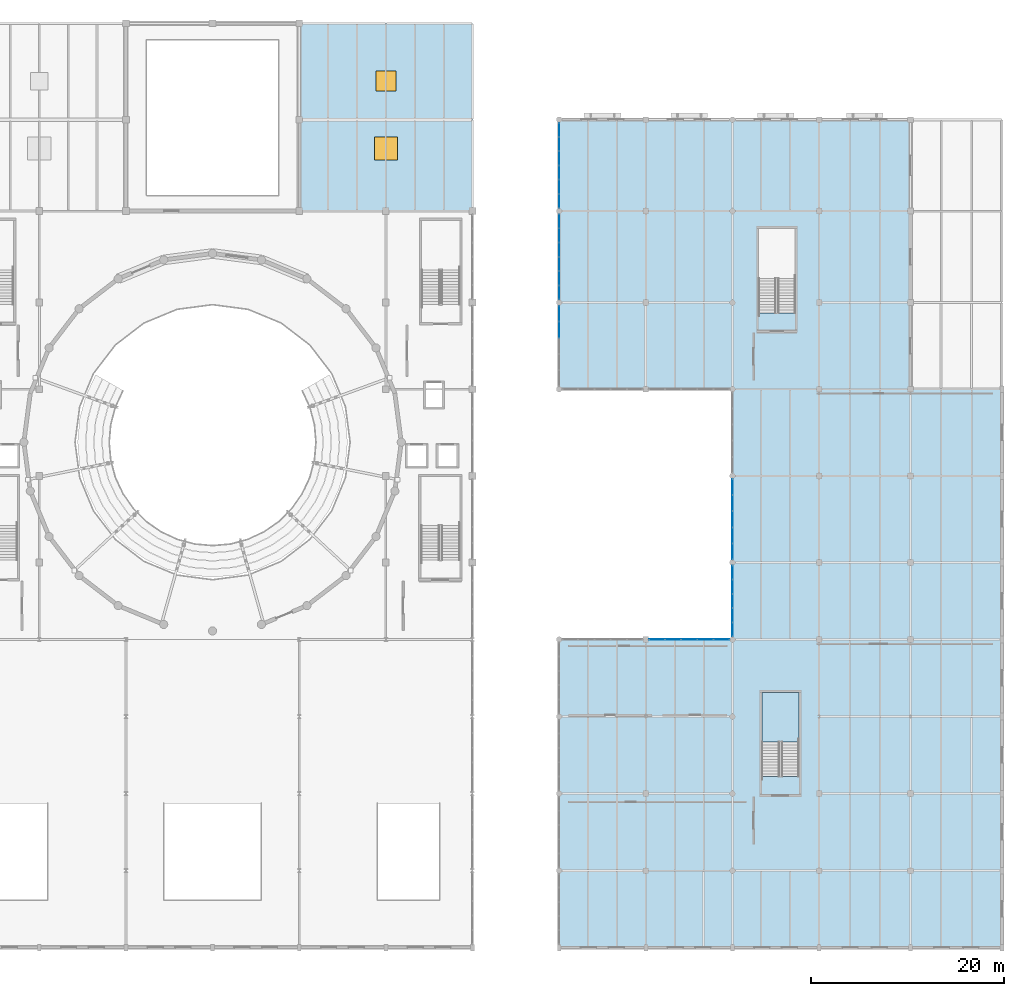
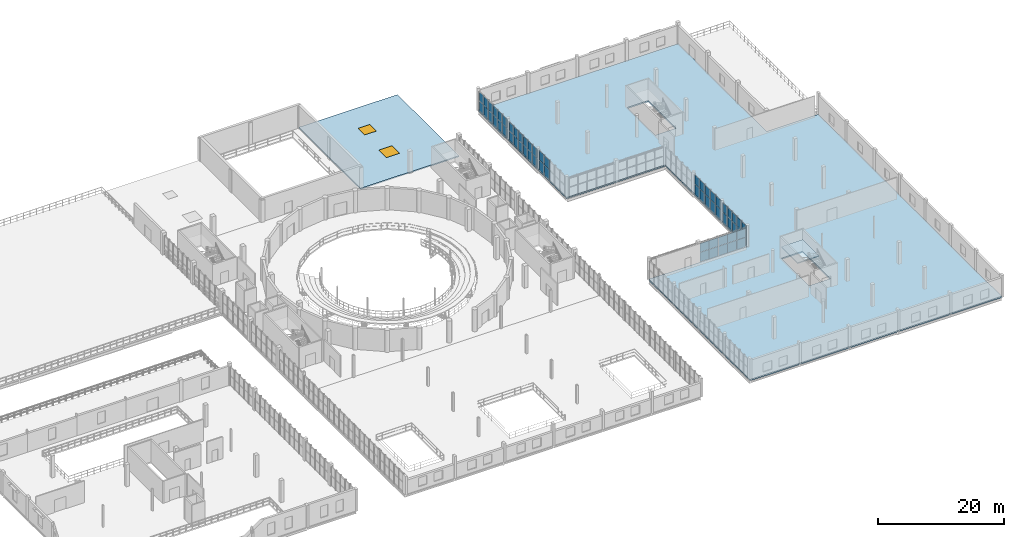
# One storey, part 51 of 73: 58 plates, 3 slabs, 2 windows, 2 openings, 7 elements without a shape of their own.
"""IFC4 building model written with IfcOpenShell, lengths in metres."""

from ifc_helpers import new_model, si_unit, direction, frame, origin, origin_2d, place, context, subcontext, project, spatial, polyline, rectangle, outline, extrude, material, layer, layer_set, type_object, element, fill, aggregate, save


model = new_model("IFC4")

# Units and contexts
model_context = context("Model", 3, precision=1e-05, world=origin(), true_north=direction((0.0, 1.0)))
body_context = subcontext(model_context, "Body", "Model", "MODEL_VIEW")
ifc_project = project(units=[si_unit("LENGTHUNIT", "METRE"), si_unit("AREAUNIT", "SQUARE_METRE"), si_unit("VOLUMEUNIT", "CUBIC_METRE"), si_unit("PLANEANGLEUNIT", "RADIAN"), si_unit("MASSUNIT", "GRAM", prefix="KILO")], contexts=[model_context])

# Site, building, storey
site_placement = place(None, origin())
site = spatial("IfcSite", under=ifc_project, at=site_placement, CompositionType="ELEMENT")
building_placement = place(site_placement, origin())
building = spatial("IfcBuilding", under=site, at=building_placement, Name="Marnock Terrace Opera House", CompositionType="ELEMENT")
storey_placement = place(building_placement, frame((0.0, 0.0, 14.699951171875)))
storey = spatial("IfcBuildingStorey", under=building, at=storey_placement, Name="L03", CompositionType="ELEMENT", Elevation=14.699951171875)

# Curtain wall, plates
ifc_material_1 = material(Name="Anodised architectural bronze aluminium framing", Category="aluminium")
ifc_layer_1 = layer(ifc_material_1, 0.159912109375)
ifc_layer_set_1 = layer_set([ifc_layer_1], Name="Anodised architectural bronze aluminium framing")
curtain_wall_type_1 = type_object("IfcCurtainWallType", Name="CW-LOGGIA-86x42", PredefinedType="NOTDEFINED", material=ifc_layer_set_1)
curtain_wall_1_placement = place(storey_placement, origin())
curtain_wall_1 = element("IfcCurtainWall", 1, at=curtain_wall_1_placement, inside=storey, type_object=curtain_wall_type_1, Name="L03 glazed Beaux-Arts colonnade curtain wall CW-V5-L03-CS2", PredefinedType="NOTDEFINED")
ifc_material_2 = material(Name="Double-glazed acoustic low-E laminated glass", Category="glass")
ifc_layer_2 = layer(ifc_material_2, 0.028076171875)
ifc_layer_set_2 = layer_set([ifc_layer_2], Name="Double-glazed acoustic low-E laminated glass")
plate_type = type_object("IfcPlateType", Name="CWP-GLZ-28", PredefinedType="CURTAIN_PANEL", material=ifc_layer_set_2)
plate_1_placement = place(storey_placement, frame((128.15185546875, 40.0, 0.06005859375), z_axis=(0.0, 0.0, 1.0), x_axis=(1.0, 0.0, 0.0)))
plate_1 = element("IfcPlate", 2, at=plate_1_placement, type_object=plate_type, Name="CW-66 panel 1.1", PredefinedType="CURTAIN_PANEL", context=body_context, shape_type="SweptSolid", body=[
    extrude(rectangle(XDim=1.591552734375, YDim=0.028076171875, at=origin_2d()), origin(), (0.0, 0.0, 1.0), 1.8271484375),
])
plate_2_placement = place(storey_placement, frame((128.15185546875, 40.0, 1.947265625), z_axis=(0.0, 0.0, 1.0), x_axis=(1.0, 0.0, 0.0)))
plate_2 = element("IfcPlate", 3, at=plate_2_placement, type_object=plate_type, Name="CW-66 panel 1.2", PredefinedType="CURTAIN_PANEL", context=body_context, shape_type="SweptSolid", body=[
    extrude(rectangle(XDim=1.591552734375, YDim=0.028076171875, at=origin_2d()), origin(), (0.0, 0.0, 1.0), 1.6796875),
])
plate_3_placement = place(storey_placement, frame((129.818359375, 40.0, 0.06005859375), z_axis=(0.0, 0.0, 1.0), x_axis=(1.0, 0.0, 0.0)))
plate_3 = element("IfcPlate", 4, at=plate_3_placement, type_object=plate_type, Name="CW-66 panel 2.1", PredefinedType="CURTAIN_PANEL", context=body_context, shape_type="SweptSolid", body=[
    extrude(rectangle(XDim=1.62158203125, YDim=0.028076171875, at=origin_2d()), origin(), (0.0, 0.0, 1.0), 1.8271484375),
])
plate_4_placement = place(storey_placement, frame((129.818359375, 40.0, 1.947265625), z_axis=(0.0, 0.0, 1.0), x_axis=(1.0, 0.0, 0.0)))
plate_4 = element("IfcPlate", 5, at=plate_4_placement, type_object=plate_type, Name="CW-66 panel 2.2", PredefinedType="CURTAIN_PANEL", context=body_context, shape_type="SweptSolid", body=[
    extrude(rectangle(XDim=1.62158203125, YDim=0.028076171875, at=origin_2d()), origin(), (0.0, 0.0, 1.0), 1.6796875),
])
plate_5_placement = place(storey_placement, frame((131.5, 40.0, 0.06005859375), z_axis=(0.0, 0.0, 1.0), x_axis=(1.0, 0.0, 0.0)))
plate_5 = element("IfcPlate", 6, at=plate_5_placement, type_object=plate_type, Name="CW-66 panel 3.1", PredefinedType="CURTAIN_PANEL", context=body_context, shape_type="SweptSolid", body=[
    extrude(rectangle(XDim=1.62158203125, YDim=0.028076171875, at=origin_2d()), origin(), (0.0, 0.0, 1.0), 1.8271484375),
])
plate_6_placement = place(storey_placement, frame((131.5, 40.0, 1.947265625), z_axis=(0.0, 0.0, 1.0), x_axis=(1.0, 0.0, 0.0)))
plate_6 = element("IfcPlate", 7, at=plate_6_placement, type_object=plate_type, Name="CW-66 panel 3.2", PredefinedType="CURTAIN_PANEL", context=body_context, shape_type="SweptSolid", body=[
    extrude(rectangle(XDim=1.62158203125, YDim=0.028076171875, at=origin_2d()), origin(), (0.0, 0.0, 1.0), 1.6796875),
])
plate_7_placement = place(storey_placement, frame((133.181640625, 40.0, 0.06005859375), z_axis=(0.0, 0.0, 1.0), x_axis=(1.0, 0.0, 0.0)))
plate_7 = element("IfcPlate", 8, at=plate_7_placement, type_object=plate_type, Name="CW-66 panel 4.1", PredefinedType="CURTAIN_PANEL", context=body_context, shape_type="SweptSolid", body=[
    extrude(rectangle(XDim=1.62158203125, YDim=0.028076171875, at=origin_2d()), origin(), (0.0, 0.0, 1.0), 1.8271484375),
])
plate_8_placement = place(storey_placement, frame((133.181640625, 40.0, 1.947265625), z_axis=(0.0, 0.0, 1.0), x_axis=(1.0, 0.0, 0.0)))
plate_8 = element("IfcPlate", 9, at=plate_8_placement, type_object=plate_type, Name="CW-66 panel 4.2", PredefinedType="CURTAIN_PANEL", context=body_context, shape_type="SweptSolid", body=[
    extrude(rectangle(XDim=1.62158203125, YDim=0.028076171875, at=origin_2d()), origin(), (0.0, 0.0, 1.0), 1.6796875),
])
plate_9_placement = place(storey_placement, frame((134.84814453125, 40.0, 0.06005859375), z_axis=(0.0, 0.0, 1.0), x_axis=(1.0, 0.0, 0.0)))
plate_9 = element("IfcPlate", 10, at=plate_9_placement, type_object=plate_type, Name="CW-66 panel 5.1", PredefinedType="CURTAIN_PANEL", context=body_context, shape_type="SweptSolid", body=[
    extrude(rectangle(XDim=1.591552734375, YDim=0.028076171875, at=origin_2d()), origin(), (0.0, 0.0, 1.0), 1.8271484375),
])
plate_10_placement = place(storey_placement, frame((134.84814453125, 40.0, 1.947265625), z_axis=(0.0, 0.0, 1.0), x_axis=(1.0, 0.0, 0.0)))
plate_10 = element("IfcPlate", 11, at=plate_10_placement, type_object=plate_type, Name="CW-66 panel 5.2", PredefinedType="CURTAIN_PANEL", context=body_context, shape_type="SweptSolid", body=[
    extrude(rectangle(XDim=1.591552734375, YDim=0.028076171875, at=origin_2d()), origin(), (0.0, 0.0, 1.0), 1.6796875),
])
aggregate(curtain_wall_1, [plate_1, plate_2, plate_3, plate_4, plate_5, plate_6, plate_7, plate_8, plate_9, plate_10])

curtain_wall_2_placement = place(storey_placement, origin())
curtain_wall_2 = element("IfcCurtainWall", 12, at=curtain_wall_2_placement, inside=storey, type_object=curtain_wall_type_1, Name="L03 glazed Beaux-Arts colonnade curtain wall CW-V5-L03-CE1", PredefinedType="NOTDEFINED")
plate_11_placement = place(storey_placement, frame((136.0, 41.0517578125, 0.06005859375), z_axis=(0.0, 0.0, 1.0), x_axis=(0.0, 1.0, 0.0)))
plate_11 = element("IfcPlate", 13, at=plate_11_placement, type_object=plate_type, Name="CW-66 panel 1.1", PredefinedType="CURTAIN_PANEL", context=body_context, shape_type="SweptSolid", body=[
    extrude(rectangle(XDim=1.3916015625, YDim=0.028076171875, at=origin_2d()), origin(), (0.0, 0.0, 1.0), 1.91943359375),
])
plate_12_placement = place(storey_placement, frame((136.0, 41.0517578125, 2.03955078125), z_axis=(0.0, 0.0, 1.0), x_axis=(0.0, 1.0, 0.0)))
plate_12 = element("IfcPlate", 14, at=plate_12_placement, type_object=plate_type, Name="CW-66 panel 1.2", PredefinedType="CURTAIN_PANEL", context=body_context, shape_type="SweptSolid", body=[
    extrude(rectangle(XDim=1.3916015625, YDim=0.028076171875, at=origin_2d()), origin(), (0.0, 0.0, 1.0), 1.764892578125),
])
plate_13_placement = place(storey_placement, frame((136.0, 42.518310546875, 0.06005859375), z_axis=(0.0, 0.0, 1.0), x_axis=(0.0, 1.0, 0.0)))
plate_13 = element("IfcPlate", 15, at=plate_13_placement, type_object=plate_type, Name="CW-66 panel 2.1", PredefinedType="CURTAIN_PANEL", context=body_context, shape_type="SweptSolid", body=[
    extrude(rectangle(XDim=1.421630859375, YDim=0.028076171875, at=origin_2d()), origin(), (0.0, 0.0, 1.0), 1.91943359375),
])
plate_14_placement = place(storey_placement, frame((136.0, 42.518310546875, 2.03955078125), z_axis=(0.0, 0.0, 1.0), x_axis=(0.0, 1.0, 0.0)))
plate_14 = element("IfcPlate", 16, at=plate_14_placement, type_object=plate_type, Name="CW-66 panel 2.2", PredefinedType="CURTAIN_PANEL", context=body_context, shape_type="SweptSolid", body=[
    extrude(rectangle(XDim=1.421630859375, YDim=0.028076171875, at=origin_2d()), origin(), (0.0, 0.0, 1.0), 1.764892578125),
])
plate_15_placement = place(storey_placement, frame((136.0, 44.0, 0.06005859375), z_axis=(0.0, 0.0, 1.0), x_axis=(0.0, 1.0, 0.0)))
plate_15 = element("IfcPlate", 17, at=plate_15_placement, type_object=plate_type, Name="CW-66 panel 3.1", PredefinedType="CURTAIN_PANEL", context=body_context, shape_type="SweptSolid", body=[
    extrude(rectangle(XDim=1.421630859375, YDim=0.028076171875, at=origin_2d()), origin(), (0.0, 0.0, 1.0), 1.91943359375),
])
plate_16_placement = place(storey_placement, frame((136.0, 44.0, 2.03955078125), z_axis=(0.0, 0.0, 1.0), x_axis=(0.0, 1.0, 0.0)))
plate_16 = element("IfcPlate", 18, at=plate_16_placement, type_object=plate_type, Name="CW-66 panel 3.2", PredefinedType="CURTAIN_PANEL", context=body_context, shape_type="SweptSolid", body=[
    extrude(rectangle(XDim=1.421630859375, YDim=0.028076171875, at=origin_2d()), origin(), (0.0, 0.0, 1.0), 1.764892578125),
])
plate_17_placement = place(storey_placement, frame((136.0, 45.481689453125, 0.06005859375), z_axis=(0.0, 0.0, 1.0), x_axis=(0.0, 1.0, 0.0)))
plate_17 = element("IfcPlate", 19, at=plate_17_placement, type_object=plate_type, Name="CW-66 panel 4.1", PredefinedType="CURTAIN_PANEL", context=body_context, shape_type="SweptSolid", body=[
    extrude(rectangle(XDim=1.421630859375, YDim=0.028076171875, at=origin_2d()), origin(), (0.0, 0.0, 1.0), 1.91943359375),
])
plate_18_placement = place(storey_placement, frame((136.0, 45.481689453125, 2.03955078125), z_axis=(0.0, 0.0, 1.0), x_axis=(0.0, 1.0, 0.0)))
plate_18 = element("IfcPlate", 20, at=plate_18_placement, type_object=plate_type, Name="CW-66 panel 4.2", PredefinedType="CURTAIN_PANEL", context=body_context, shape_type="SweptSolid", body=[
    extrude(rectangle(XDim=1.421630859375, YDim=0.028076171875, at=origin_2d()), origin(), (0.0, 0.0, 1.0), 1.764892578125),
])
plate_19_placement = place(storey_placement, frame((136.0, 46.9482421875, 0.06005859375), z_axis=(0.0, 0.0, 1.0), x_axis=(0.0, 1.0, 0.0)))
plate_19 = element("IfcPlate", 21, at=plate_19_placement, type_object=plate_type, Name="CW-66 panel 5.1", PredefinedType="CURTAIN_PANEL", context=body_context, shape_type="SweptSolid", body=[
    extrude(rectangle(XDim=1.3916015625, YDim=0.028076171875, at=origin_2d()), origin(), (0.0, 0.0, 1.0), 1.91943359375),
])
plate_20_placement = place(storey_placement, frame((136.0, 46.9482421875, 2.03955078125), z_axis=(0.0, 0.0, 1.0), x_axis=(0.0, 1.0, 0.0)))
plate_20 = element("IfcPlate", 22, at=plate_20_placement, type_object=plate_type, Name="CW-66 panel 5.2", PredefinedType="CURTAIN_PANEL", context=body_context, shape_type="SweptSolid", body=[
    extrude(rectangle(XDim=1.3916015625, YDim=0.028076171875, at=origin_2d()), origin(), (0.0, 0.0, 1.0), 1.764892578125),
])
aggregate(curtain_wall_2, [plate_11, plate_12, plate_13, plate_14, plate_15, plate_16, plate_17, plate_18, plate_19, plate_20])

curtain_wall_3_placement = place(storey_placement, origin())
curtain_wall_3 = element("IfcCurtainWall", 23, at=curtain_wall_3_placement, inside=storey, type_object=curtain_wall_type_1, Name="L03 glazed Beaux-Arts colonnade curtain wall CW-V5-L03-CE2", PredefinedType="NOTDEFINED")
plate_21_placement = place(storey_placement, frame((136.0, 49.15185546875, 0.06005859375), z_axis=(0.0, 0.0, 1.0), x_axis=(0.0, 1.0, 0.0)))
plate_21 = element("IfcPlate", 24, at=plate_21_placement, type_object=plate_type, Name="CW-66 panel 1.1", PredefinedType="CURTAIN_PANEL", context=body_context, shape_type="SweptSolid", body=[
    extrude(rectangle(XDim=1.591552734375, YDim=0.028076171875, at=origin_2d()), origin(), (0.0, 0.0, 1.0), 1.91943359375),
])
plate_22_placement = place(storey_placement, frame((136.0, 49.15185546875, 2.03955078125), z_axis=(0.0, 0.0, 1.0), x_axis=(0.0, 1.0, 0.0)))
plate_22 = element("IfcPlate", 25, at=plate_22_placement, type_object=plate_type, Name="CW-66 panel 1.2", PredefinedType="CURTAIN_PANEL", context=body_context, shape_type="SweptSolid", body=[
    extrude(rectangle(XDim=1.591552734375, YDim=0.028076171875, at=origin_2d()), origin(), (0.0, 0.0, 1.0), 1.764892578125),
])
plate_23_placement = place(storey_placement, frame((136.0, 50.818359375, 0.06005859375), z_axis=(0.0, 0.0, 1.0), x_axis=(0.0, 1.0, 0.0)))
plate_23 = element("IfcPlate", 26, at=plate_23_placement, type_object=plate_type, Name="CW-66 panel 2.1", PredefinedType="CURTAIN_PANEL", context=body_context, shape_type="SweptSolid", body=[
    extrude(rectangle(XDim=1.62158203125, YDim=0.028076171875, at=origin_2d()), origin(), (0.0, 0.0, 1.0), 1.91943359375),
])
plate_24_placement = place(storey_placement, frame((136.0, 50.818359375, 2.03955078125), z_axis=(0.0, 0.0, 1.0), x_axis=(0.0, 1.0, 0.0)))
plate_24 = element("IfcPlate", 27, at=plate_24_placement, type_object=plate_type, Name="CW-66 panel 2.2", PredefinedType="CURTAIN_PANEL", context=body_context, shape_type="SweptSolid", body=[
    extrude(rectangle(XDim=1.62158203125, YDim=0.028076171875, at=origin_2d()), origin(), (0.0, 0.0, 1.0), 1.764892578125),
])
plate_25_placement = place(storey_placement, frame((136.0, 52.5, 0.06005859375), z_axis=(0.0, 0.0, 1.0), x_axis=(0.0, 1.0, 0.0)))
plate_25 = element("IfcPlate", 28, at=plate_25_placement, type_object=plate_type, Name="CW-66 panel 3.1", PredefinedType="CURTAIN_PANEL", context=body_context, shape_type="SweptSolid", body=[
    extrude(rectangle(XDim=1.62158203125, YDim=0.028076171875, at=origin_2d()), origin(), (0.0, 0.0, 1.0), 1.91943359375),
])
plate_26_placement = place(storey_placement, frame((136.0, 52.5, 2.03955078125), z_axis=(0.0, 0.0, 1.0), x_axis=(0.0, 1.0, 0.0)))
plate_26 = element("IfcPlate", 29, at=plate_26_placement, type_object=plate_type, Name="CW-66 panel 3.2", PredefinedType="CURTAIN_PANEL", context=body_context, shape_type="SweptSolid", body=[
    extrude(rectangle(XDim=1.62158203125, YDim=0.028076171875, at=origin_2d()), origin(), (0.0, 0.0, 1.0), 1.764892578125),
])
plate_27_placement = place(storey_placement, frame((136.0, 54.181640625, 0.06005859375), z_axis=(0.0, 0.0, 1.0), x_axis=(0.0, 1.0, 0.0)))
plate_27 = element("IfcPlate", 30, at=plate_27_placement, type_object=plate_type, Name="CW-66 panel 4.1", PredefinedType="CURTAIN_PANEL", context=body_context, shape_type="SweptSolid", body=[
    extrude(rectangle(XDim=1.62158203125, YDim=0.028076171875, at=origin_2d()), origin(), (0.0, 0.0, 1.0), 1.91943359375),
])
plate_28_placement = place(storey_placement, frame((136.0, 54.181640625, 2.03955078125), z_axis=(0.0, 0.0, 1.0), x_axis=(0.0, 1.0, 0.0)))
plate_28 = element("IfcPlate", 31, at=plate_28_placement, type_object=plate_type, Name="CW-66 panel 4.2", PredefinedType="CURTAIN_PANEL", context=body_context, shape_type="SweptSolid", body=[
    extrude(rectangle(XDim=1.62158203125, YDim=0.028076171875, at=origin_2d()), origin(), (0.0, 0.0, 1.0), 1.764892578125),
])
plate_29_placement = place(storey_placement, frame((136.0, 55.84814453125, 0.06005859375), z_axis=(0.0, 0.0, 1.0), x_axis=(0.0, 1.0, 0.0)))
plate_29 = element("IfcPlate", 32, at=plate_29_placement, type_object=plate_type, Name="CW-66 panel 5.1", PredefinedType="CURTAIN_PANEL", context=body_context, shape_type="SweptSolid", body=[
    extrude(rectangle(XDim=1.591552734375, YDim=0.028076171875, at=origin_2d()), origin(), (0.0, 0.0, 1.0), 1.91943359375),
])
plate_30_placement = place(storey_placement, frame((136.0, 55.84814453125, 2.03955078125), z_axis=(0.0, 0.0, 1.0), x_axis=(0.0, 1.0, 0.0)))
plate_30 = element("IfcPlate", 33, at=plate_30_placement, type_object=plate_type, Name="CW-66 panel 5.2", PredefinedType="CURTAIN_PANEL", context=body_context, shape_type="SweptSolid", body=[
    extrude(rectangle(XDim=1.591552734375, YDim=0.028076171875, at=origin_2d()), origin(), (0.0, 0.0, 1.0), 1.764892578125),
])
aggregate(curtain_wall_3, [plate_21, plate_22, plate_23, plate_24, plate_25, plate_26, plate_27, plate_28, plate_29, plate_30])

curtain_wall_4_placement = place(storey_placement, origin())
curtain_wall_4 = element("IfcCurtainWall", 34, at=curtain_wall_4_placement, inside=storey, type_object=curtain_wall_type_1, Name="L03 glazed Beaux-Arts colonnade curtain wall CW-V5-L03-W5", PredefinedType="NOTDEFINED")
plate_31_placement = place(storey_placement, frame((118.0, 72.181640625, 0.06005859375), z_axis=(0.0, 0.0, 1.0), x_axis=(0.0, 1.0, 0.0)))
plate_31 = element("IfcPlate", 35, at=plate_31_placement, type_object=plate_type, Name="CW-66 panel 4.1", PredefinedType="CURTAIN_PANEL", context=body_context, shape_type="SweptSolid", body=[
    extrude(rectangle(XDim=1.62158203125, YDim=0.028076171875, at=origin_2d()), origin(), (0.0, 0.0, 1.0), 1.93505859375),
])
plate_32_placement = place(storey_placement, frame((118.0, 72.181640625, 2.05517578125), z_axis=(0.0, 0.0, 1.0), x_axis=(0.0, 1.0, 0.0)))
plate_32 = element("IfcPlate", 36, at=plate_32_placement, type_object=plate_type, Name="CW-66 panel 4.2", PredefinedType="CURTAIN_PANEL", context=body_context, shape_type="SweptSolid", body=[
    extrude(rectangle(XDim=1.62158203125, YDim=0.028076171875, at=origin_2d()), origin(), (0.0, 0.0, 1.0), 1.779296875),
])
plate_33_placement = place(storey_placement, frame((118.0, 73.84814453125, 0.06005859375), z_axis=(0.0, 0.0, 1.0), x_axis=(0.0, 1.0, 0.0)))
plate_33 = element("IfcPlate", 37, at=plate_33_placement, type_object=plate_type, Name="CW-66 panel 5.1", PredefinedType="CURTAIN_PANEL", context=body_context, shape_type="SweptSolid", body=[
    extrude(rectangle(XDim=1.591552734375, YDim=0.028076171875, at=origin_2d()), origin(), (0.0, 0.0, 1.0), 1.93505859375),
])
plate_34_placement = place(storey_placement, frame((118.0, 73.84814453125, 2.05517578125), z_axis=(0.0, 0.0, 1.0), x_axis=(0.0, 1.0, 0.0)))
plate_34 = element("IfcPlate", 38, at=plate_34_placement, type_object=plate_type, Name="CW-66 panel 5.2", PredefinedType="CURTAIN_PANEL", context=body_context, shape_type="SweptSolid", body=[
    extrude(rectangle(XDim=1.591552734375, YDim=0.028076171875, at=origin_2d()), origin(), (0.0, 0.0, 1.0), 1.779296875),
])
aggregate(curtain_wall_4, [plate_31, plate_32, plate_33, plate_34])

ifc_layer_3 = layer(ifc_material_1, 0.159912109375)
ifc_layer_set_3 = layer_set([ifc_layer_3], Name="Anodised architectural bronze aluminium framing")
curtain_wall_type_2 = type_object("IfcCurtainWallType", Name="CW-FOYER-95x42", PredefinedType="NOTDEFINED", material=ifc_layer_set_3)
curtain_wall_5_placement = place(storey_placement, origin())
curtain_wall_5 = element("IfcCurtainWall", 39, at=curtain_wall_5_placement, inside=storey, type_object=curtain_wall_type_2, Name="L03 glazed Beaux-Arts colonnade curtain wall CW-V5-L03-W6", PredefinedType="NOTDEFINED")
plate_35_placement = place(storey_placement, frame((118.0, 76.05322265625, 0.06005859375), z_axis=(0.0, 0.0, 1.0), x_axis=(0.0, 1.0, 0.0)))
plate_35 = element("IfcPlate", 40, at=plate_35_placement, type_object=plate_type, Name="CW-17 panel 1.1", PredefinedType="CURTAIN_PANEL", context=body_context, shape_type="SweptSolid", body=[
    extrude(rectangle(XDim=1.394775390625, YDim=0.028076171875, at=origin_2d()), origin(), (0.0, 0.0, 1.0), 1.806884765625),
])
plate_36_placement = place(storey_placement, frame((118.0, 76.05322265625, 1.92724609375), z_axis=(0.0, 0.0, 1.0), x_axis=(0.0, 1.0, 0.0)))
plate_36 = element("IfcPlate", 41, at=plate_36_placement, type_object=plate_type, Name="CW-17 panel 1.2", PredefinedType="CURTAIN_PANEL", context=body_context, shape_type="SweptSolid", body=[
    extrude(rectangle(XDim=1.394775390625, YDim=0.028076171875, at=origin_2d()), origin(), (0.0, 0.0, 1.0), 1.660888671875),
])
plate_37_placement = place(storey_placement, frame((118.0, 77.52294921875, 0.06005859375), z_axis=(0.0, 0.0, 1.0), x_axis=(0.0, 1.0, 0.0)))
plate_37 = element("IfcPlate", 42, at=plate_37_placement, type_object=plate_type, Name="CW-17 panel 2.1", PredefinedType="CURTAIN_PANEL", context=body_context, shape_type="SweptSolid", body=[
    extrude(rectangle(XDim=1.424560546875, YDim=0.028076171875, at=origin_2d()), origin(), (0.0, 0.0, 1.0), 1.806884765625),
])
plate_38_placement = place(storey_placement, frame((118.0, 77.52294921875, 1.92724609375), z_axis=(0.0, 0.0, 1.0), x_axis=(0.0, 1.0, 0.0)))
plate_38 = element("IfcPlate", 43, at=plate_38_placement, type_object=plate_type, Name="CW-17 panel 2.2", PredefinedType="CURTAIN_PANEL", context=body_context, shape_type="SweptSolid", body=[
    extrude(rectangle(XDim=1.424560546875, YDim=0.028076171875, at=origin_2d()), origin(), (0.0, 0.0, 1.0), 1.660888671875),
])
plate_39_placement = place(storey_placement, frame((118.0, 79.007568359375, 0.06005859375), z_axis=(0.0, 0.0, 1.0), x_axis=(0.0, 1.0, 0.0)))
plate_39 = element("IfcPlate", 44, at=plate_39_placement, type_object=plate_type, Name="CW-17 panel 3.1", PredefinedType="CURTAIN_PANEL", context=body_context, shape_type="SweptSolid", body=[
    extrude(rectangle(XDim=1.424560546875, YDim=0.028076171875, at=origin_2d()), origin(), (0.0, 0.0, 1.0), 1.806884765625),
])
plate_40_placement = place(storey_placement, frame((118.0, 79.007568359375, 1.92724609375), z_axis=(0.0, 0.0, 1.0), x_axis=(0.0, 1.0, 0.0)))
plate_40 = element("IfcPlate", 45, at=plate_40_placement, type_object=plate_type, Name="CW-17 panel 3.2", PredefinedType="CURTAIN_PANEL", context=body_context, shape_type="SweptSolid", body=[
    extrude(rectangle(XDim=1.424560546875, YDim=0.028076171875, at=origin_2d()), origin(), (0.0, 0.0, 1.0), 1.660888671875),
])
plate_41_placement = place(storey_placement, frame((118.0, 80.492431640625, 0.06005859375), z_axis=(0.0, 0.0, 1.0), x_axis=(0.0, 1.0, 0.0)))
plate_41 = element("IfcPlate", 46, at=plate_41_placement, type_object=plate_type, Name="CW-17 panel 4.1", PredefinedType="CURTAIN_PANEL", context=body_context, shape_type="SweptSolid", body=[
    extrude(rectangle(XDim=1.424560546875, YDim=0.028076171875, at=origin_2d()), origin(), (0.0, 0.0, 1.0), 1.806884765625),
])
plate_42_placement = place(storey_placement, frame((118.0, 80.492431640625, 1.92724609375), z_axis=(0.0, 0.0, 1.0), x_axis=(0.0, 1.0, 0.0)))
plate_42 = element("IfcPlate", 47, at=plate_42_placement, type_object=plate_type, Name="CW-17 panel 4.2", PredefinedType="CURTAIN_PANEL", context=body_context, shape_type="SweptSolid", body=[
    extrude(rectangle(XDim=1.424560546875, YDim=0.028076171875, at=origin_2d()), origin(), (0.0, 0.0, 1.0), 1.660888671875),
])
plate_43_placement = place(storey_placement, frame((118.0, 81.97705078125, 0.06005859375), z_axis=(0.0, 0.0, 1.0), x_axis=(0.0, 1.0, 0.0)))
plate_43 = element("IfcPlate", 48, at=plate_43_placement, type_object=plate_type, Name="CW-17 panel 5.1", PredefinedType="CURTAIN_PANEL", context=body_context, shape_type="SweptSolid", body=[
    extrude(rectangle(XDim=1.424560546875, YDim=0.028076171875, at=origin_2d()), origin(), (0.0, 0.0, 1.0), 1.806884765625),
])
plate_44_placement = place(storey_placement, frame((118.0, 81.97705078125, 1.92724609375), z_axis=(0.0, 0.0, 1.0), x_axis=(0.0, 1.0, 0.0)))
plate_44 = element("IfcPlate", 49, at=plate_44_placement, type_object=plate_type, Name="CW-17 panel 5.2", PredefinedType="CURTAIN_PANEL", context=body_context, shape_type="SweptSolid", body=[
    extrude(rectangle(XDim=1.424560546875, YDim=0.028076171875, at=origin_2d()), origin(), (0.0, 0.0, 1.0), 1.660888671875),
])
plate_45_placement = place(storey_placement, frame((118.0, 83.44677734375, 0.06005859375), z_axis=(0.0, 0.0, 1.0), x_axis=(0.0, 1.0, 0.0)))
plate_45 = element("IfcPlate", 50, at=plate_45_placement, type_object=plate_type, Name="CW-17 panel 6.1", PredefinedType="CURTAIN_PANEL", context=body_context, shape_type="SweptSolid", body=[
    extrude(rectangle(XDim=1.394775390625, YDim=0.028076171875, at=origin_2d()), origin(), (0.0, 0.0, 1.0), 1.806884765625),
])
plate_46_placement = place(storey_placement, frame((118.0, 83.44677734375, 1.92724609375), z_axis=(0.0, 0.0, 1.0), x_axis=(0.0, 1.0, 0.0)))
plate_46 = element("IfcPlate", 51, at=plate_46_placement, type_object=plate_type, Name="CW-17 panel 6.2", PredefinedType="CURTAIN_PANEL", context=body_context, shape_type="SweptSolid", body=[
    extrude(rectangle(XDim=1.394775390625, YDim=0.028076171875, at=origin_2d()), origin(), (0.0, 0.0, 1.0), 1.660888671875),
])
aggregate(curtain_wall_5, [plate_35, plate_36, plate_37, plate_38, plate_39, plate_40, plate_41, plate_42, plate_43, plate_44, plate_45, plate_46])

curtain_wall_6_placement = place(storey_placement, origin())
curtain_wall_6 = element("IfcCurtainWall", 52, at=curtain_wall_6_placement, inside=storey, type_object=curtain_wall_type_2, Name="L03 glazed Beaux-Arts colonnade curtain wall CW-V5-L03-W7", PredefinedType="NOTDEFINED")
plate_47_placement = place(storey_placement, frame((118.0, 85.55322265625, 0.06005859375), z_axis=(0.0, 0.0, 1.0), x_axis=(0.0, 1.0, 0.0)))
plate_47 = element("IfcPlate", 53, at=plate_47_placement, type_object=plate_type, Name="CW-17 panel 1.1", PredefinedType="CURTAIN_PANEL", context=body_context, shape_type="SweptSolid", body=[
    extrude(rectangle(XDim=1.394775390625, YDim=0.028076171875, at=origin_2d()), origin(), (0.0, 0.0, 1.0), 1.845458984375),
])
plate_48_placement = place(storey_placement, frame((118.0, 85.55322265625, 1.96533203125), z_axis=(0.0, 0.0, 1.0), x_axis=(0.0, 1.0, 0.0)))
plate_48 = element("IfcPlate", 54, at=plate_48_placement, type_object=plate_type, Name="CW-17 panel 1.2", PredefinedType="CURTAIN_PANEL", context=body_context, shape_type="SweptSolid", body=[
    extrude(rectangle(XDim=1.394775390625, YDim=0.028076171875, at=origin_2d()), origin(), (0.0, 0.0, 1.0), 1.696533203125),
])
plate_49_placement = place(storey_placement, frame((118.0, 87.02294921875, 0.06005859375), z_axis=(0.0, 0.0, 1.0), x_axis=(0.0, 1.0, 0.0)))
plate_49 = element("IfcPlate", 55, at=plate_49_placement, type_object=plate_type, Name="CW-17 panel 2.1", PredefinedType="CURTAIN_PANEL", context=body_context, shape_type="SweptSolid", body=[
    extrude(rectangle(XDim=1.424560546875, YDim=0.028076171875, at=origin_2d()), origin(), (0.0, 0.0, 1.0), 1.845458984375),
])
plate_50_placement = place(storey_placement, frame((118.0, 87.02294921875, 1.96533203125), z_axis=(0.0, 0.0, 1.0), x_axis=(0.0, 1.0, 0.0)))
plate_50 = element("IfcPlate", 56, at=plate_50_placement, type_object=plate_type, Name="CW-17 panel 2.2", PredefinedType="CURTAIN_PANEL", context=body_context, shape_type="SweptSolid", body=[
    extrude(rectangle(XDim=1.424560546875, YDim=0.028076171875, at=origin_2d()), origin(), (0.0, 0.0, 1.0), 1.696533203125),
])
plate_51_placement = place(storey_placement, frame((118.0, 88.507568359375, 0.06005859375), z_axis=(0.0, 0.0, 1.0), x_axis=(0.0, 1.0, 0.0)))
plate_51 = element("IfcPlate", 57, at=plate_51_placement, type_object=plate_type, Name="CW-17 panel 3.1", PredefinedType="CURTAIN_PANEL", context=body_context, shape_type="SweptSolid", body=[
    extrude(rectangle(XDim=1.424560546875, YDim=0.028076171875, at=origin_2d()), origin(), (0.0, 0.0, 1.0), 1.845458984375),
])
plate_52_placement = place(storey_placement, frame((118.0, 88.507568359375, 1.96533203125), z_axis=(0.0, 0.0, 1.0), x_axis=(0.0, 1.0, 0.0)))
plate_52 = element("IfcPlate", 58, at=plate_52_placement, type_object=plate_type, Name="CW-17 panel 3.2", PredefinedType="CURTAIN_PANEL", context=body_context, shape_type="SweptSolid", body=[
    extrude(rectangle(XDim=1.424560546875, YDim=0.028076171875, at=origin_2d()), origin(), (0.0, 0.0, 1.0), 1.696533203125),
])
plate_53_placement = place(storey_placement, frame((118.0, 89.992431640625, 0.06005859375), z_axis=(0.0, 0.0, 1.0), x_axis=(0.0, 1.0, 0.0)))
plate_53 = element("IfcPlate", 59, at=plate_53_placement, type_object=plate_type, Name="CW-17 panel 4.1", PredefinedType="CURTAIN_PANEL", context=body_context, shape_type="SweptSolid", body=[
    extrude(rectangle(XDim=1.424560546875, YDim=0.028076171875, at=origin_2d()), origin(), (0.0, 0.0, 1.0), 1.845458984375),
])
plate_54_placement = place(storey_placement, frame((118.0, 89.992431640625, 1.96533203125), z_axis=(0.0, 0.0, 1.0), x_axis=(0.0, 1.0, 0.0)))
plate_54 = element("IfcPlate", 60, at=plate_54_placement, type_object=plate_type, Name="CW-17 panel 4.2", PredefinedType="CURTAIN_PANEL", context=body_context, shape_type="SweptSolid", body=[
    extrude(rectangle(XDim=1.424560546875, YDim=0.028076171875, at=origin_2d()), origin(), (0.0, 0.0, 1.0), 1.696533203125),
])
plate_55_placement = place(storey_placement, frame((118.0, 91.47705078125, 0.06005859375), z_axis=(0.0, 0.0, 1.0), x_axis=(0.0, 1.0, 0.0)))
plate_55 = element("IfcPlate", 61, at=plate_55_placement, type_object=plate_type, Name="CW-17 panel 5.1", PredefinedType="CURTAIN_PANEL", context=body_context, shape_type="SweptSolid", body=[
    extrude(rectangle(XDim=1.424560546875, YDim=0.028076171875, at=origin_2d()), origin(), (0.0, 0.0, 1.0), 1.845458984375),
])
plate_56_placement = place(storey_placement, frame((118.0, 91.47705078125, 1.96533203125), z_axis=(0.0, 0.0, 1.0), x_axis=(0.0, 1.0, 0.0)))
plate_56 = element("IfcPlate", 62, at=plate_56_placement, type_object=plate_type, Name="CW-17 panel 5.2", PredefinedType="CURTAIN_PANEL", context=body_context, shape_type="SweptSolid", body=[
    extrude(rectangle(XDim=1.424560546875, YDim=0.028076171875, at=origin_2d()), origin(), (0.0, 0.0, 1.0), 1.696533203125),
])
plate_57_placement = place(storey_placement, frame((118.0, 92.94677734375, 0.06005859375), z_axis=(0.0, 0.0, 1.0), x_axis=(0.0, 1.0, 0.0)))
plate_57 = element("IfcPlate", 63, at=plate_57_placement, type_object=plate_type, Name="CW-17 panel 6.1", PredefinedType="CURTAIN_PANEL", context=body_context, shape_type="SweptSolid", body=[
    extrude(rectangle(XDim=1.394775390625, YDim=0.028076171875, at=origin_2d()), origin(), (0.0, 0.0, 1.0), 1.845458984375),
])
plate_58_placement = place(storey_placement, frame((118.0, 92.94677734375, 1.96533203125), z_axis=(0.0, 0.0, 1.0), x_axis=(0.0, 1.0, 0.0)))
plate_58 = element("IfcPlate", 64, at=plate_58_placement, type_object=plate_type, Name="CW-17 panel 6.2", PredefinedType="CURTAIN_PANEL", context=body_context, shape_type="SweptSolid", body=[
    extrude(rectangle(XDim=1.394775390625, YDim=0.028076171875, at=origin_2d()), origin(), (0.0, 0.0, 1.0), 1.696533203125),
])
aggregate(curtain_wall_6, [plate_47, plate_48, plate_49, plate_50, plate_51, plate_52, plate_53, plate_54, plate_55, plate_56, plate_57, plate_58])

# Slab
ifc_material_3 = material(Name="Concrete N40 (f'c = 40 MPa)", Category="concrete")
ifc_layer_4 = layer(ifc_material_3, 0.260009765625)
ifc_layer_set_4 = layer_set([ifc_layer_4], Name="Concrete N40 (f'c = 40 MPa)")
slab_type_1 = type_object("IfcSlabType", Name="SL-FLR-260", PredefinedType="FLOOR", material=ifc_layer_set_4)
slab_1_placement = place(storey_placement, frame((0.0, 0.0, -0.260009765625)))
element("IfcSlab", 65, at=slab_1_placement, inside=storey, type_object=slab_type_1, Name="L03 Artist Suites C-wing floor slab", PredefinedType="FLOOR", context=body_context, shape_type="SweptSolid", body=[
    extrude(outline(polyline([(118.0, 8.0), (164.0, 8.0), (164.0, 66.0), (154.5, 66.0), (154.5, 94.0), (118.0, 94.0), (118.0, 66.0), (136.0, 66.0), (136.0, 40.0), (118.0, 40.0), (118.0, 8.0)]), holes=[polyline([(142.919921875, 25.760009765625), (142.919921875, 34.52001953125), (139.0400390625, 34.52001953125), (139.0400390625, 25.760009765625), (142.919921875, 25.760009765625)]), polyline([(142.52001953125, 73.919921875), (142.52001953125, 82.719970703125), (138.719970703125, 82.719970703125), (138.719970703125, 73.919921875), (142.52001953125, 73.919921875)])]), origin(), (0.0, 0.0, 1.0), 0.260009765625),
])

# Stair, slab
stair_type = type_object("IfcStairType", Name="ST-TYPE-2200", PredefinedType="HALF_TURN_STAIR", material=ifc_material_3)
stair_placement = place(storey_placement, origin())
stair = element("IfcStair", 66, at=stair_placement, inside=storey, type_object=stair_type, Name="L03 ST-06", PredefinedType="HALF_TURN_STAIR")
ifc_material_4 = material(Name="Concrete N32 (f'c = 32 MPa)", Category="concrete")
ifc_layer_5 = layer(ifc_material_4, 0.199951171875)
ifc_layer_set_5 = layer_set([ifc_layer_5], Name="Concrete N32 (f'c = 32 MPa)")
slab_type_2 = type_object("IfcSlabType", Name="SL-LAND-200", PredefinedType="LANDING", material=ifc_layer_set_5)
slab_2_placement = place(storey_placement, frame((0.0, 0.0, 2.050048828125)))
slab_2 = element("IfcSlab", 67, at=slab_2_placement, type_object=slab_type_2, Name="ST-06 landing 1", PredefinedType="LANDING", context=body_context, shape_type="SweptSolid", body=[
    extrude(outline(polyline([(142.919921875, 29.360107421875), (142.919921875, 34.52001953125), (139.0400390625, 34.52001953125), (139.0400390625, 29.360107421875), (142.919921875, 29.360107421875)])), origin(), (0.0, 0.0, 1.0), 0.199951171875),
])
aggregate(stair, [slab_2])

# Slab, openings, windows
ifc_layer_6 = layer(ifc_material_3, 0.219970703125)
ifc_layer_set_6 = layer_set([ifc_layer_6], Name="Concrete N40 (f'c = 40 MPa)")
slab_type_3 = type_object("IfcSlabType", Name="SL-ROOF-220", PredefinedType="ROOF", material=ifc_layer_set_6)
slab_3_placement = place(storey_placement, frame((0.0, 0.0, -0.219970703125)))
slab_3 = element("IfcSlab", 68, at=slab_3_placement, inside=storey, type_object=slab_type_3, Name="L03 structural roof slab SL-ROOF-SIDESTAGE-E", PredefinedType="ROOF", context=body_context, shape_type="SweptSolid", body=[
    extrude(outline(polyline([(91.0, 84.5), (109.0, 84.5), (109.0, 104.0), (91.0, 104.0), (91.0, 84.5)])), origin(), (0.0, 0.0, 1.0), 0.219970703125),
])
opening_1_placement = place(slab_3_placement, frame((100.0, 91.0, 0.0)))
opening_1 = element("IfcOpeningElement", 69, at=opening_1_placement, cuts=slab_3, Name="Opening WT-62", PredefinedType="OPENING", context=body_context, shape_type="SweptSolid", body=[
    extrude(rectangle(XDim=2.39990234375, YDim=2.39990234375, at=origin_2d()), frame((0.0, 0.0, -0.010009765625)), (0.0, 0.0, 1.0), 0.239990234375),
])
opening_2_placement = place(slab_3_placement, frame((100.0, 98.0, 0.0)))
opening_2 = element("IfcOpeningElement", 70, at=opening_2_placement, cuts=slab_3, Name="Opening WT-142", PredefinedType="OPENING", context=body_context, shape_type="SweptSolid", body=[
    extrude(rectangle(XDim=2.10009765625, YDim=2.10009765625, at=origin_2d()), frame((0.0, 0.0, -0.010009765625)), (0.0, 0.0, 1.0), 0.239990234375),
])
window_type_1 = type_object("IfcWindowType", Name="WT-DOME-2100", PartitioningType="SINGLE_PANEL", PredefinedType="LIGHTDOME", material=ifc_material_2)
window_1_placement = place(opening_2_placement, frame((0.0, 0.0, 0.169921875)))
window_1 = element("IfcWindow", 71, at=window_1_placement, inside=storey, type_object=window_type_1, Name="Stage smoke lightdome LDM-SSE-02", OverallHeight=2.10009765625, OverallWidth=2.10009765625, PartitioningType="SINGLE_PANEL", PredefinedType="LIGHTDOME", context=body_context, shape_type="SweptSolid", body=[
    extrude(rectangle(XDim=2.10009765625, YDim=2.10009765625, at=origin_2d()), origin(), (0.0, 0.0, 1.0), 0.050048828125),
])
fill(opening_2, window_1)
window_type_2 = type_object("IfcWindowType", Name="WT-DOME-2400", PartitioningType="SINGLE_PANEL", PredefinedType="LIGHTDOME", material=ifc_material_2)
window_2_placement = place(opening_1_placement, frame((0.0, 0.0, 0.169921875)))
window_2 = element("IfcWindow", 72, at=window_2_placement, inside=storey, type_object=window_type_2, Name="Stage smoke lightdome LDM-SSE-01", OverallHeight=2.39990234375, OverallWidth=2.39990234375, PartitioningType="SINGLE_PANEL", PredefinedType="LIGHTDOME", context=body_context, shape_type="SweptSolid", body=[
    extrude(rectangle(XDim=2.39990234375, YDim=2.39990234375, at=origin_2d()), origin(), (0.0, 0.0, 1.0), 0.050048828125),
])
fill(opening_1, window_2)

save(model, "model.ifc")
